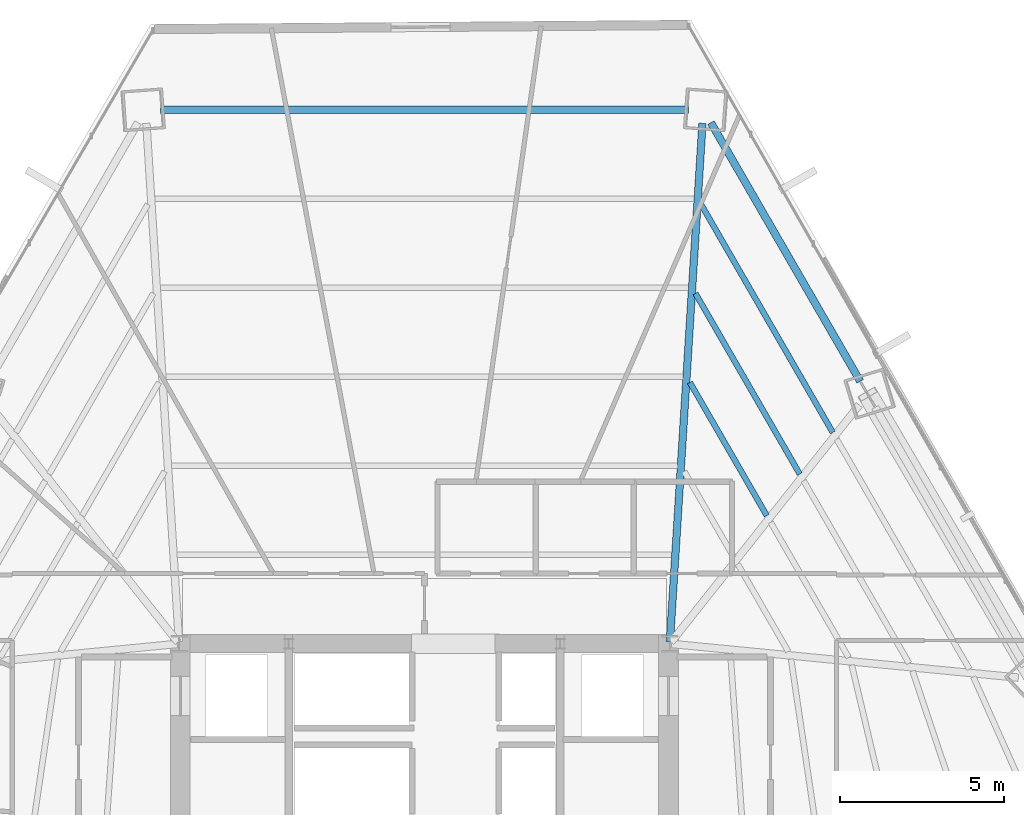
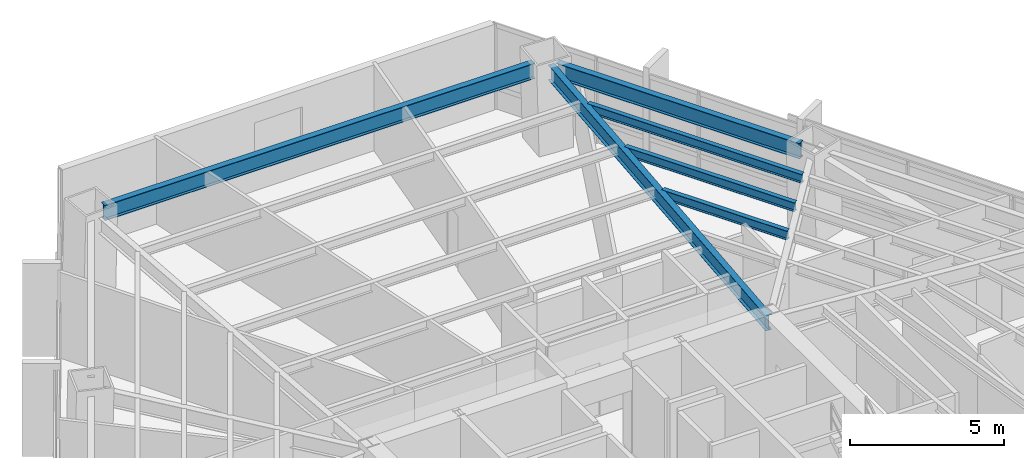
# One storey, part 26 of 34: 6 beams.
"""IFC4 building model written with IfcOpenShell, lengths in metres."""

import ifcopenshell
import ifcopenshell.guid

model = None  # the IFC model being written
_history = None  # IfcOwnerHistory: only IFC2X3 demands one
_inside = {}  # id of a spatial element -> (the spatial element, [elements in it])
_under = {}  # id of a project, library or spatial element -> (it, [spatial elements below it])
_declared = {}  # id of a project -> (the project, [libraries it declares])
_typed = {}  # id of a type object -> (the type object, [elements of that type])
_made_of = {}  # id of a material, layer set ... -> (it, [elements and type objects made of it])


def new_model(schema):
    """Start an empty IFC model of exactly this schema.

    Asked for "IFC4X3", IfcOpenShell would pick the latest addendum, in which some entities
    have other attributes; the version numbers below select the first issue.
    IFC2X3 requires an IfcOwnerHistory on every rooted entity: one is made here for all.
    """
    global model, _history
    if schema == "IFC4X3":
        model = ifcopenshell.file(schema_version=(4, 3, 0, 0))
    else:
        model = ifcopenshell.file(schema=schema)
    _inside.clear()
    _under.clear()
    _declared.clear()
    _typed.clear()
    _made_of.clear()
    _history = None
    if model.schema == "IFC2X3":
        org = make("IfcOrganization", Name="unknown")
        user = make(
            "IfcPersonAndOrganization",
            ThePerson=make("IfcPerson", FamilyName="unknown"),
            TheOrganization=org,
        )
        app = make(
            "IfcApplication",
            ApplicationDeveloper=org,
            Version="unknown",
            ApplicationFullName="unknown",
            ApplicationIdentifier="unknown",
        )
        _history = make(
            "IfcOwnerHistory",
            OwningUser=user,
            OwningApplication=app,
            ChangeAction="ADDED",
            CreationDate=0,
        )
    return model


def make(cls, **values):
    """One entity of the class cls with the attributes given. An attribute that is None is left unset."""
    return model.create_entity(
        cls, **{name: value for name, value in values.items() if value is not None}
    )


def rooted(cls, **values):
    """An entity with a GlobalId (a new one), such as an element, a storey or a relation."""
    return make(cls, GlobalId=ifcopenshell.guid.new(), OwnerHistory=_history, **values)


def si_unit(unit_type, name, prefix=None):
    """IfcSIUnit, for example si_unit("LENGTHUNIT", "METRE", prefix="MILLI")."""
    return make("IfcSIUnit", UnitType=unit_type, Prefix=prefix, Name=name)


def assignment(units):
    """IfcUnitAssignment: the units of a project."""
    return None if units is None else make("IfcUnitAssignment", Units=units)


def point(xyz):
    """IfcCartesianPoint."""
    return None if xyz is None else make("IfcCartesianPoint", Coordinates=xyz)


def direction(xyz):
    """IfcDirection."""
    return None if xyz is None else make("IfcDirection", DirectionRatios=xyz)


def frame(location, z_axis=None, x_axis=None):
    """IfcAxis2Placement3D, a coordinate frame: its origin and axes. An axis left out is left unset."""
    return make(
        "IfcAxis2Placement3D",
        Location=point(location),
        Axis=direction(z_axis),
        RefDirection=direction(x_axis),
    )


def frame_2d(location, x_axis=None):
    """IfcAxis2Placement2D, a coordinate frame in the plane: its origin and x axis."""
    return make(
        "IfcAxis2Placement2D", Location=point(location), RefDirection=direction(x_axis)
    )


def origin():
    """The frame at (0, 0, 0) with its axes left unset."""
    return frame((0.0, 0.0, 0.0))


def origin_2d():
    """The frame at (0, 0) in the plane with its x axis left unset."""
    return frame_2d((0.0, 0.0))


def place(relative_to, where):
    """IfcLocalPlacement: puts the frame where relative to a parent placement (None: the world)."""
    return make(
        "IfcLocalPlacement", PlacementRelTo=relative_to, RelativePlacement=where
    )


def context(
    kind, dimensions, precision=None, world=None, true_north=None, identifier=None
):
    """IfcGeometricRepresentationContext, for example the 3D "Model" context."""
    return make(
        "IfcGeometricRepresentationContext",
        ContextIdentifier=identifier,
        ContextType=kind,
        CoordinateSpaceDimension=dimensions,
        Precision=precision,
        WorldCoordinateSystem=world,
        TrueNorth=true_north,
    )


def subcontext(parent, identifier, kind, view, scale=None):
    """IfcGeometricRepresentationSubContext, for example "Body" below "Model"."""
    return make(
        "IfcGeometricRepresentationSubContext",
        ContextIdentifier=identifier,
        ContextType=kind,
        ParentContext=parent,
        TargetScale=scale,
        TargetView=view,
    )


def project(units=None, contexts=None):
    """IfcProject with its units and contexts."""
    return rooted(
        "IfcProject",
        Name="project",
        RepresentationContexts=contexts,
        UnitsInContext=assignment(units),
    )


def spatial(cls, under=None, at=None, **own):
    """A site, building, storey or space (cls), placed at a placement, below another one or the project."""
    s = rooted(cls, ObjectPlacement=at, **own)
    if under is not None:
        _under.setdefault(under.id(), (under, []))[1].append(s)
    return s


def profile(cls, at=None, kind="AREA", **sizes):
    """A parametric profile (cls). Its sizes go by their IFC names, for example OverallWidth=200.0."""
    return make(cls, ProfileType=kind, Position=at, **sizes)


def i_section(**sizes):
    """IfcIShapeProfileDef."""
    return profile("IfcIShapeProfileDef", **sizes)


def extrude(swept, where, along, depth):
    """IfcExtrudedAreaSolid: the profile swept, set in the frame where, extruded along a direction by depth."""
    return make(
        "IfcExtrudedAreaSolid",
        SweptArea=swept,
        Position=where,
        ExtrudedDirection=direction(along),
        Depth=depth,
    )


def shape(context_of_items, identifier, shape_type, items):
    """IfcShapeRepresentation: the items that make up one representation, for example the "Body"."""
    return make(
        "IfcShapeRepresentation",
        ContextOfItems=context_of_items,
        RepresentationIdentifier=identifier,
        RepresentationType=shape_type,
        Items=items,
    )


def source(mapping_origin, context_of_items, identifier, shape_type, items):
    """IfcRepresentationMap: a shape defined once, which mapped items show again and again."""
    return make(
        "IfcRepresentationMap",
        MappingOrigin=mapping_origin,
        MappedRepresentation=shape(context_of_items, identifier, shape_type, items),
    )


def transform(
    local_origin,
    x_axis=None,
    y_axis=None,
    z_axis=None,
    scale=None,
    scale2=None,
    scale3=None,
    uniform=True,
):
    """IfcCartesianTransformationOperator3D, or its non-uniform kind. x_axis, y_axis, z_axis: its Axis1, 2, 3."""
    if uniform:
        return make(
            "IfcCartesianTransformationOperator3D",
            Axis1=direction(x_axis),
            Axis2=direction(y_axis),
            LocalOrigin=point(local_origin),
            Scale=scale,
            Axis3=direction(z_axis),
        )
    return make(
        "IfcCartesianTransformationOperator3DnonUniform",
        Axis1=direction(x_axis),
        Axis2=direction(y_axis),
        LocalOrigin=point(local_origin),
        Scale=scale,
        Axis3=direction(z_axis),
        Scale2=scale2,
        Scale3=scale3,
    )


def mapped(mapping_source, mapping_target):
    """IfcMappedItem: shows the shape of a source again, moved by a transform."""
    return make(
        "IfcMappedItem", MappingSource=mapping_source, MappingTarget=mapping_target
    )


def material(Name=None, Category=None):
    """IfcMaterial."""
    return make("IfcMaterial", Name=Name, Category=Category)


def material_profile(
    of_material, cross_section, Name=None, Category=None, Priority=None
):
    """IfcMaterialProfile: a cross section and its material."""
    return make(
        "IfcMaterialProfile",
        Name=Name,
        Material=of_material,
        Profile=cross_section,
        Priority=Priority,
        Category=Category,
    )


def profile_set(profiles, Name=None, composite=None):
    """IfcMaterialProfileSet."""
    return make(
        "IfcMaterialProfileSet",
        Name=Name,
        MaterialProfiles=profiles,
        CompositeProfile=composite,
    )


def made_of(thing, what):
    """Note that an element or type object is made of a material, layer set ...; save() writes the relation."""
    if what is not None:
        _made_of.setdefault(what.id(), (what, []))[1].append(thing)
    return thing


def type_object(cls, material=None, **own):
    """A type object (cls), such as IfcWallType, which elements share."""
    return made_of(rooted(cls, **own), material)


def type_shapes(of_type, sources):
    """Give a type object the sources (RepresentationMaps) that its elements show as mapped items."""
    of_type.RepresentationMaps = sources


def element(
    cls,
    number,
    at=None,
    inside=None,
    cuts=None,
    type_object=None,
    material=None,
    context=None,
    identifier="Body",
    shape_type=None,
    held_by="IfcProductDefinitionShape",
    body=None,
    shapes=None,
    **own,
):
    """One element of the class cls, such as IfcWall. Its Tag is "e" and its number.

    at: its placement. inside: the storey or other place that contains it. cuts: it is an
    opening in that element (IfcRelVoidsElement). A single representation is given by context,
    identifier, shape_type and body (its items); several are given by shapes. held_by: the class
    of the entity that holds the representations. save() writes the other relations.
    """
    e = rooted(cls, Tag="e%d" % number, ObjectPlacement=at, **own)
    if body is not None:
        shapes = [shape(context, identifier, shape_type, body)]
    if shapes is not None:
        e.Representation = make(held_by, Representations=shapes)
    if inside is not None:
        _inside.setdefault(inside.id(), (inside, []))[1].append(e)
    if cuts is not None:
        rooted(
            "IfcRelVoidsElement", RelatingBuildingElement=cuts, RelatedOpeningElement=e
        )
    if type_object is not None:
        _typed.setdefault(type_object.id(), (type_object, []))[1].append(e)
    return made_of(e, material)


def aggregate(whole, parts):
    """IfcRelAggregates: a whole, such as a stair, and the parts it consists of."""
    return rooted("IfcRelAggregates", RelatingObject=whole, RelatedObjects=parts)


def save(model, path):
    """Write the relations noted so far, then the file.

    IfcRelAggregates (storeys below a building ...), IfcRelContainedInSpatialStructure (elements
    in a storey), IfcRelDefinesByType, IfcRelAssociatesMaterial and IfcRelDeclares: one each for
    every whole, place, type object, material and project.
    """
    for whole, parts in _under.values():
        aggregate(whole, parts)
    for where, things in _inside.values():
        rooted(
            "IfcRelContainedInSpatialStructure",
            RelatedElements=things,
            RelatingStructure=where,
        )
    for kind, things in _typed.values():
        rooted("IfcRelDefinesByType", RelatedObjects=things, RelatingType=kind)
    for what, things in _made_of.values():
        rooted("IfcRelAssociatesMaterial", RelatedObjects=things, RelatingMaterial=what)
    for by, libraries in _declared.values():
        rooted("IfcRelDeclares", RelatingContext=by, RelatedDefinitions=libraries)
    model.write(path)


model = new_model("IFC4")

# Units and contexts
model_context = context("Model", 3, precision=1e-05, world=origin(), true_north=direction((0.0, 1.0)))
body_context = subcontext(model_context, "Body", "Model", "MODEL_VIEW")
ifc_project = project(units=[si_unit("LENGTHUNIT", "METRE"), si_unit("AREAUNIT", "SQUARE_METRE"), si_unit("VOLUMEUNIT", "CUBIC_METRE"), si_unit("PLANEANGLEUNIT", "RADIAN"), si_unit("MASSUNIT", "GRAM", prefix="KILO")], contexts=[model_context])

# Site, building, storey
site_placement = place(None, origin())
site = spatial("IfcSite", under=ifc_project, at=site_placement, CompositionType="ELEMENT")
building_placement = place(site_placement, origin())
building = spatial("IfcBuilding", under=site, at=building_placement, Name="Caelisora Broadcast Tower", CompositionType="ELEMENT")
storey_placement = place(building_placement, frame((0.0, 0.0, 56.800048828125)))
storey = spatial("IfcBuildingStorey", under=building, at=storey_placement, Name="L14", CompositionType="ELEMENT", Elevation=56.800048828125)

# Beams
ifc_material = material(Name="Steel Grade 350 (AS/NZS 3679.1)", Category="steel")
ifc_material_profile_1 = material_profile(ifc_material, i_section(OverallWidth=0.22900390625, OverallDepth=0.611572265625, WebThickness=0.011962890625, FlangeThickness=0.01953125, at=origin_2d()), Name="Steel Grade 350 (AS/NZS 3679.1)")
ifc_profile_set_1 = profile_set([ifc_material_profile_1], Name="Steel Grade 350 (AS/NZS 3679.1)")
beam_type_1 = type_object("IfcBeamType", Name="PG03", PredefinedType="BEAM", material=ifc_profile_set_1)
shared_shape_1 = source(origin(), body_context, "Body", "SweptSolid", [
    extrude(i_section(OverallWidth=0.22900390625, OverallDepth=0.611572265625, WebThickness=0.011962890625, FlangeThickness=0.01953125, at=origin_2d()), origin(), (0.0, 0.0, 1.0), 16.1337890625),
])
beam_1_placement = place(storey_placement, frame((46.06689453125, 46.329833984375, 3.09423828125), z_axis=(-1.0, 0.0, 0.0), x_axis=(0.0, -1.0, 0.0)))
element("IfcBeam", 1, at=beam_1_placement, inside=storey, type_object=beam_type_1, Name="L14 beam PG03", PredefinedType="BEAM", context=body_context, shape_type="MappedRepresentation", body=[
    mapped(shared_shape_1, transform((0.0, 0.0, 0.0), scale=1.0)),
])
shared_shape_2 = source(origin(), body_context, "Body", "SweptSolid", [
    extrude(i_section(OverallWidth=0.22900390625, OverallDepth=0.611572265625, WebThickness=0.011962890625, FlangeThickness=0.01953125, at=origin_2d()), origin(), (0.0, 0.0, 1.0), 9.129638671875),
])
type_shapes(beam_type_1, [shared_shape_1, shared_shape_2])
beam_2_placement = place(storey_placement, frame((51.32177734375, 38.02490234375, 3.09423828125), z_axis=(-0.500010259273, 0.866019480509, 0.0), x_axis=(-0.866019480509, -0.500010259273, 0.0)))
element("IfcBeam", 2, at=beam_2_placement, inside=storey, type_object=beam_type_1, Name="L14 beam PG03", PredefinedType="BEAM", context=body_context, shape_type="MappedRepresentation", body=[
    mapped(shared_shape_2, transform((0.0, 0.0, 0.0), scale=1.0)),
])
ifc_material_profile_2 = material_profile(ifc_material, i_section(OverallWidth=0.22802734375, OverallDepth=0.602294921875, WebThickness=0.010498046875, FlangeThickness=0.014892578125, at=origin_2d()), Name="Steel Grade 350 (AS/NZS 3679.1)")
ifc_profile_set_2 = profile_set([ifc_material_profile_2], Name="Steel Grade 350 (AS/NZS 3679.1)")
beam_type_2 = type_object("IfcBeamType", Name="PG04", PredefinedType="BEAM", material=ifc_profile_set_2)
shared_shape_3 = source(origin(), body_context, "Body", "SweptSolid", [
    extrude(i_section(OverallWidth=0.22802734375, OverallDepth=0.602294921875, WebThickness=0.010498046875, FlangeThickness=0.014892578125, at=origin_2d()), origin(), (0.0, 0.0, 1.0), 15.882080078125),
])
type_shapes(beam_type_2, [shared_shape_3])
beam_3_placement = place(storey_placement, frame((45.50390625, 30.059814453125, 3.098876953125), z_axis=(0.062748646217, 0.998029361992, 0.0), x_axis=(-0.998029361992, 0.062748646217, 0.0)))
element("IfcBeam", 3, at=beam_3_placement, inside=storey, type_object=beam_type_2, Name="L14 beam PG04", PredefinedType="BEAM", context=body_context, shape_type="MappedRepresentation", body=[
    mapped(shared_shape_3, transform((0.0, 0.0, 0.0), scale=1.0)),
])
ifc_material_profile_3 = material_profile(ifc_material, i_section(OverallWidth=0.172119140625, OverallDepth=0.358642578125, WebThickness=0.008056640625, FlangeThickness=0.012939453125, at=origin_2d()), Name="Steel Grade 350 (AS/NZS 3679.1)")
ifc_profile_set_3 = profile_set([ifc_material_profile_3], Name="Steel Grade 350 (AS/NZS 3679.1)")
beam_type_3 = type_object("IfcBeamType", Name="SB02", PredefinedType="JOIST", material=ifc_profile_set_3)
shared_shape_4 = source(origin(), body_context, "Body", "SweptSolid", [
    extrude(i_section(OverallWidth=0.172119140625, OverallDepth=0.358642578125, WebThickness=0.008056640625, FlangeThickness=0.012939453125, at=origin_2d()), origin(), (0.0, 0.0, 1.0), 4.7021484375),
])
beam_4_placement = place(storey_placement, frame((48.466064453125, 33.916748046875, 3.220703125), z_axis=(-0.499992114976, 0.866029956157, 0.0), x_axis=(-0.866029956157, -0.499992114976, 0.0)))
element("IfcBeam", 4, at=beam_4_placement, inside=storey, type_object=beam_type_3, Name="L14 beam SB02", PredefinedType="JOIST", context=body_context, shape_type="MappedRepresentation", body=[
    mapped(shared_shape_4, transform((0.0, 0.0, 0.0), scale=1.0)),
])
shared_shape_5 = source(origin(), body_context, "Body", "SweptSolid", [
    extrude(i_section(OverallWidth=0.172119140625, OverallDepth=0.358642578125, WebThickness=0.008056640625, FlangeThickness=0.012939453125, at=origin_2d()), origin(), (0.0, 0.0, 1.0), 6.37744140625),
])
beam_5_placement = place(storey_placement, frame((49.474609375, 35.187744140625, 3.220703125), z_axis=(-0.500005231567, 0.866022383317, 0.0), x_axis=(-0.866022383317, -0.500005231567, 0.0)))
element("IfcBeam", 5, at=beam_5_placement, inside=storey, type_object=beam_type_3, Name="L14 beam SB02", PredefinedType="JOIST", context=body_context, shape_type="MappedRepresentation", body=[
    mapped(shared_shape_5, transform((0.0, 0.0, 0.0), scale=1.0)),
])
shared_shape_6 = source(origin(), body_context, "Body", "SweptSolid", [
    extrude(i_section(OverallWidth=0.172119140625, OverallDepth=0.358642578125, WebThickness=0.008056640625, FlangeThickness=0.012939453125, at=origin_2d()), origin(), (0.0, 0.0, 1.0), 8.05224609375),
])
type_shapes(beam_type_3, [shared_shape_4, shared_shape_5, shared_shape_6])
beam_6_placement = place(storey_placement, frame((50.4833984375, 36.458984375, 3.220703125), z_axis=(-0.500003280469, 0.866023509796, 0.0), x_axis=(-0.866023509796, -0.500003280469, 0.0)))
element("IfcBeam", 6, at=beam_6_placement, inside=storey, type_object=beam_type_3, Name="L14 beam SB02", PredefinedType="JOIST", context=body_context, shape_type="MappedRepresentation", body=[
    mapped(shared_shape_6, transform((0.0, 0.0, 0.0), scale=1.0)),
])

save(model, "model.ifc")
